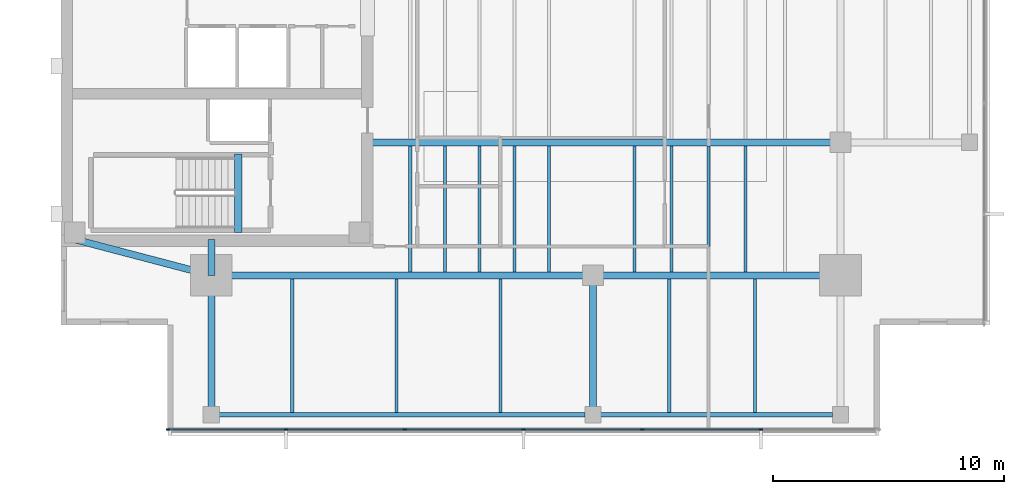
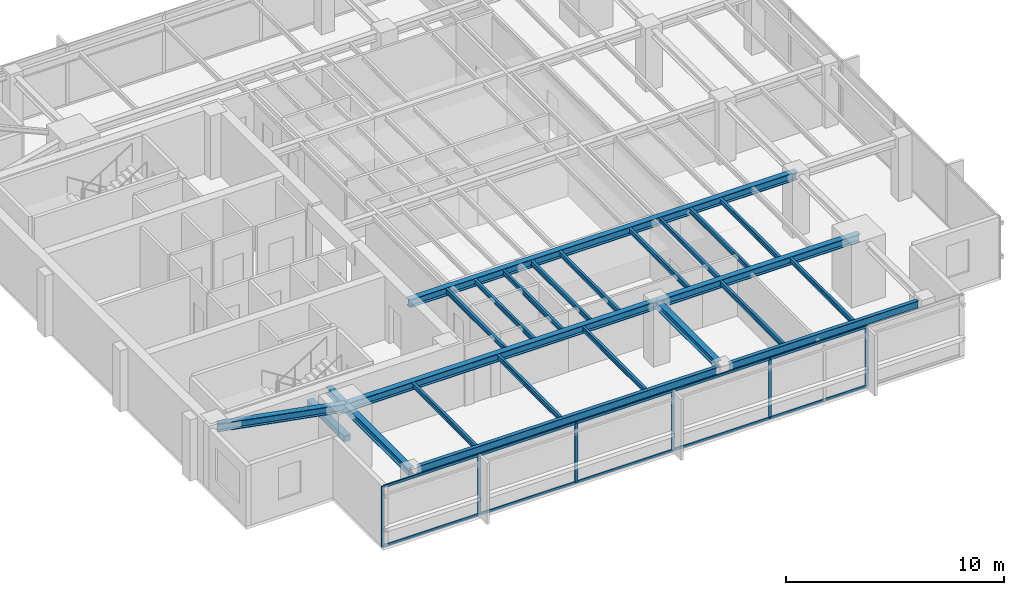
# One storey, part 2 of 14: 24 beams, 16 members, 1 element without a shape of its own.
"""IFC4 building model written with IfcOpenShell, lengths in metres."""

from ifc_helpers import new_model, si_unit, direction, frame, origin, origin_2d, place, context, subcontext, project, spatial, rectangle, i_section, extrude, material, layer, layer_set, material_profile, profile_set, type_object, element, aggregate, save


model = new_model("IFC4")

# Units and contexts
model_context = context("Model", 3, precision=1e-05, world=origin(), true_north=direction((0.0, 1.0)))
body_context = subcontext(model_context, "Body", "Model", "MODEL_VIEW")
ifc_project = project(units=[si_unit("LENGTHUNIT", "METRE"), si_unit("AREAUNIT", "SQUARE_METRE"), si_unit("VOLUMEUNIT", "CUBIC_METRE"), si_unit("PLANEANGLEUNIT", "RADIAN"), si_unit("MASSUNIT", "GRAM", prefix="KILO")], contexts=[model_context])

# Site, building, storey
site_placement = place(None, origin())
site = spatial("IfcSite", under=ifc_project, at=site_placement, CompositionType="ELEMENT")
building_placement = place(site_placement, origin())
building = spatial("IfcBuilding", under=site, at=building_placement, Name="Kinhvarn Gate Tower", CompositionType="ELEMENT")
storey_placement = place(building_placement, frame((0.0, 0.0, 267.0)))
storey = spatial("IfcBuildingStorey", under=building, at=storey_placement, Name="L71", CompositionType="ELEMENT", Elevation=267.0)

# Beam
ifc_material_1 = material(Name="Concrete C50/60", Category="concrete")
ifc_material_profile_1 = material_profile(ifc_material_1, rectangle(XDim=0.340087890625, YDim=0.320068359375, at=origin_2d()), Name="RC 340x320")
ifc_profile_set_1 = profile_set([ifc_material_profile_1], Name="Concrete C50/60")
beam_type_1 = type_object("IfcBeamType", Name="BM-LND-500", PredefinedType="BEAM", material=ifc_profile_set_1)
beam_1_placement = place(storey_placement, frame((12.1650390625, 14.60009765625, -0.159912109375), z_axis=(0.0, 1.0, 0.0), x_axis=(-1.0, 0.0, 0.0)))
element("IfcBeam", 1, at=beam_1_placement, inside=storey, type_object=beam_type_1, Name="Stair ST1 Landing Nosing Beam (L71)", PredefinedType="BEAM", context=body_context, shape_type="SweptSolid", body=[
    extrude(rectangle(XDim=0.340087890625, YDim=0.320068359375, at=origin_2d()), origin(), (0.0, 0.0, 1.0), 3.39990234375),
])

# Curtain wall, members
ifc_material_2 = material(Name="Anodised aluminium AW-6063", Category="aluminium")
ifc_layer = layer(ifc_material_2, 0.179931640625)
ifc_layer_set = layer_set([ifc_layer], Name="Anodised aluminium AW-6063")
curtain_wall_type = type_object("IfcCurtainWallType", Name="CW-SYS-3", PredefinedType="NOTDEFINED", material=ifc_layer_set)
curtain_wall_placement = place(storey_placement, origin())
curtain_wall = element("IfcCurtainWall", 2, at=curtain_wall_placement, inside=storey, type_object=curtain_wall_type, Name="Curtain Wall CW3 (L71)", PredefinedType="NOTDEFINED")
ifc_material_profile_2 = material_profile(ifc_material_2, rectangle(XDim=0.06494140625, YDim=0.159912109375, at=origin_2d()), Name="ALU 65x160")
ifc_profile_set_2 = profile_set([ifc_material_profile_2], Name="Anodised aluminium AW-6063")
member_type_1 = type_object("IfcMemberType", Name="CW-MUL-160", PredefinedType="MULLION", material=ifc_profile_set_2)
member_1_placement = place(storey_placement, frame((9.132568359375, 6.090087890625, 0.0), z_axis=(0.0, 0.0, 1.0), x_axis=(0.0, 1.0, 0.0)))
member_1 = element("IfcMember", 3, at=member_1_placement, type_object=member_type_1, Name="CW3 mullion 1", PredefinedType="MULLION", context=body_context, shape_type="SweptSolid", body=[
    extrude(rectangle(XDim=0.06494140625, YDim=0.159912109375, at=origin_2d()), origin(), (0.0, 0.0, 1.0), 3.389892578125),
])
member_2_placement = place(storey_placement, frame((14.2333984375, 6.090087890625, 0.0), z_axis=(0.0, 0.0, 1.0), x_axis=(0.0, 1.0, 0.0)))
member_2 = element("IfcMember", 4, at=member_2_placement, type_object=member_type_1, Name="CW3 mullion 2", PredefinedType="MULLION", context=body_context, shape_type="SweptSolid", body=[
    extrude(rectangle(XDim=0.06494140625, YDim=0.159912109375, at=origin_2d()), origin(), (0.0, 0.0, 1.0), 3.389892578125),
])
member_3_placement = place(storey_placement, frame((19.36669921875, 6.090087890625, 0.0), z_axis=(0.0, 0.0, 1.0), x_axis=(0.0, 1.0, 0.0)))
member_3 = element("IfcMember", 5, at=member_3_placement, type_object=member_type_1, Name="CW3 mullion 3", PredefinedType="MULLION", context=body_context, shape_type="SweptSolid", body=[
    extrude(rectangle(XDim=0.06494140625, YDim=0.159912109375, at=origin_2d()), origin(), (0.0, 0.0, 1.0), 3.389892578125),
])
member_4_placement = place(storey_placement, frame((24.5, 6.090087890625, 0.0), z_axis=(0.0, 0.0, 1.0), x_axis=(0.0, 1.0, 0.0)))
member_4 = element("IfcMember", 6, at=member_4_placement, type_object=member_type_1, Name="CW3 mullion 4", PredefinedType="MULLION", context=body_context, shape_type="SweptSolid", body=[
    extrude(rectangle(XDim=0.06494140625, YDim=0.159912109375, at=origin_2d()), origin(), (0.0, 0.0, 1.0), 3.389892578125),
])
member_5_placement = place(storey_placement, frame((29.63330078125, 6.090087890625, 0.0), z_axis=(0.0, 0.0, 1.0), x_axis=(0.0, 1.0, 0.0)))
member_5 = element("IfcMember", 7, at=member_5_placement, type_object=member_type_1, Name="CW3 mullion 5", PredefinedType="MULLION", context=body_context, shape_type="SweptSolid", body=[
    extrude(rectangle(XDim=0.06494140625, YDim=0.159912109375, at=origin_2d()), origin(), (0.0, 0.0, 1.0), 3.389892578125),
])
member_6_placement = place(storey_placement, frame((34.7666015625, 6.090087890625, 0.0), z_axis=(0.0, 0.0, 1.0), x_axis=(0.0, 1.0, 0.0)))
member_6 = element("IfcMember", 8, at=member_6_placement, type_object=member_type_1, Name="CW3 mullion 6", PredefinedType="MULLION", context=body_context, shape_type="SweptSolid", body=[
    extrude(rectangle(XDim=0.06494140625, YDim=0.159912109375, at=origin_2d()), origin(), (0.0, 0.0, 1.0), 3.389892578125),
])
ifc_material_profile_3 = material_profile(ifc_material_2, rectangle(XDim=0.070068359375, YDim=0.139892578125, at=origin_2d()), Name="ALU 70x140")
ifc_profile_set_3 = profile_set([ifc_material_profile_3], Name="Anodised aluminium AW-6063")
member_type_2 = type_object("IfcMemberType", Name="CW-TRN-140", PredefinedType="USERDEFINED", material=ifc_profile_set_3)
member_7_placement = place(storey_placement, frame((9.1650390625, 6.090087890625, 0.034912109375), z_axis=(1.0, 0.0, 0.0), x_axis=(0.0, 1.0, 0.0)))
member_7 = element("IfcMember", 9, at=member_7_placement, type_object=member_type_2, Name="CW3 transom 1.1", ObjectType="TRANSOM", PredefinedType="USERDEFINED", context=body_context, shape_type="SweptSolid", body=[
    extrude(rectangle(XDim=0.070068359375, YDim=0.139892578125, at=origin_2d()), origin(), (0.0, 0.0, 1.0), 5.035888671875),
])
member_8_placement = place(storey_placement, frame((9.1650390625, 6.090087890625, 3.35498046875), z_axis=(1.0, 0.0, 0.0), x_axis=(0.0, 1.0, 0.0)))
member_8 = element("IfcMember", 10, at=member_8_placement, type_object=member_type_2, Name="CW3 transom 1.2", ObjectType="TRANSOM", PredefinedType="USERDEFINED", context=body_context, shape_type="SweptSolid", body=[
    extrude(rectangle(XDim=0.070068359375, YDim=0.139892578125, at=origin_2d()), origin(), (0.0, 0.0, 1.0), 5.035888671875),
])
member_9_placement = place(storey_placement, frame((14.265869140625, 6.090087890625, 0.034912109375), z_axis=(1.0, 0.0, 0.0), x_axis=(0.0, 1.0, 0.0)))
member_9 = element("IfcMember", 11, at=member_9_placement, type_object=member_type_2, Name="CW3 transom 2.1", ObjectType="TRANSOM", PredefinedType="USERDEFINED", context=body_context, shape_type="SweptSolid", body=[
    extrude(rectangle(XDim=0.070068359375, YDim=0.139892578125, at=origin_2d()), origin(), (0.0, 0.0, 1.0), 5.068359375),
])
member_10_placement = place(storey_placement, frame((14.265869140625, 6.090087890625, 3.35498046875), z_axis=(1.0, 0.0, 0.0), x_axis=(0.0, 1.0, 0.0)))
member_10 = element("IfcMember", 12, at=member_10_placement, type_object=member_type_2, Name="CW3 transom 2.2", ObjectType="TRANSOM", PredefinedType="USERDEFINED", context=body_context, shape_type="SweptSolid", body=[
    extrude(rectangle(XDim=0.070068359375, YDim=0.139892578125, at=origin_2d()), origin(), (0.0, 0.0, 1.0), 5.068359375),
])
member_11_placement = place(storey_placement, frame((19.399169921875, 6.090087890625, 0.034912109375), z_axis=(1.0, 0.0, 0.0), x_axis=(0.0, 1.0, 0.0)))
member_11 = element("IfcMember", 13, at=member_11_placement, type_object=member_type_2, Name="CW3 transom 3.1", ObjectType="TRANSOM", PredefinedType="USERDEFINED", context=body_context, shape_type="SweptSolid", body=[
    extrude(rectangle(XDim=0.070068359375, YDim=0.139892578125, at=origin_2d()), origin(), (0.0, 0.0, 1.0), 5.068359375),
])
member_12_placement = place(storey_placement, frame((19.399169921875, 6.090087890625, 3.35498046875), z_axis=(1.0, 0.0, 0.0), x_axis=(0.0, 1.0, 0.0)))
member_12 = element("IfcMember", 14, at=member_12_placement, type_object=member_type_2, Name="CW3 transom 3.2", ObjectType="TRANSOM", PredefinedType="USERDEFINED", context=body_context, shape_type="SweptSolid", body=[
    extrude(rectangle(XDim=0.070068359375, YDim=0.139892578125, at=origin_2d()), origin(), (0.0, 0.0, 1.0), 5.068359375),
])
member_13_placement = place(storey_placement, frame((24.532470703125, 6.090087890625, 0.034912109375), z_axis=(1.0, 0.0, 0.0), x_axis=(0.0, 1.0, 0.0)))
member_13 = element("IfcMember", 15, at=member_13_placement, type_object=member_type_2, Name="CW3 transom 4.1", ObjectType="TRANSOM", PredefinedType="USERDEFINED", context=body_context, shape_type="SweptSolid", body=[
    extrude(rectangle(XDim=0.070068359375, YDim=0.139892578125, at=origin_2d()), origin(), (0.0, 0.0, 1.0), 5.068359375),
])
member_14_placement = place(storey_placement, frame((24.532470703125, 6.090087890625, 3.35498046875), z_axis=(1.0, 0.0, 0.0), x_axis=(0.0, 1.0, 0.0)))
member_14 = element("IfcMember", 16, at=member_14_placement, type_object=member_type_2, Name="CW3 transom 4.2", ObjectType="TRANSOM", PredefinedType="USERDEFINED", context=body_context, shape_type="SweptSolid", body=[
    extrude(rectangle(XDim=0.070068359375, YDim=0.139892578125, at=origin_2d()), origin(), (0.0, 0.0, 1.0), 5.068359375),
])
member_15_placement = place(storey_placement, frame((29.665771484375, 6.090087890625, 0.034912109375), z_axis=(1.0, 0.0, 0.0), x_axis=(0.0, 1.0, 0.0)))
member_15 = element("IfcMember", 17, at=member_15_placement, type_object=member_type_2, Name="CW3 transom 5.1", ObjectType="TRANSOM", PredefinedType="USERDEFINED", context=body_context, shape_type="SweptSolid", body=[
    extrude(rectangle(XDim=0.070068359375, YDim=0.139892578125, at=origin_2d()), origin(), (0.0, 0.0, 1.0), 5.068359375),
])
member_16_placement = place(storey_placement, frame((29.665771484375, 6.090087890625, 3.35498046875), z_axis=(1.0, 0.0, 0.0), x_axis=(0.0, 1.0, 0.0)))
member_16 = element("IfcMember", 18, at=member_16_placement, type_object=member_type_2, Name="CW3 transom 5.2", ObjectType="TRANSOM", PredefinedType="USERDEFINED", context=body_context, shape_type="SweptSolid", body=[
    extrude(rectangle(XDim=0.070068359375, YDim=0.139892578125, at=origin_2d()), origin(), (0.0, 0.0, 1.0), 5.068359375),
])
aggregate(curtain_wall, [member_1, member_2, member_3, member_4, member_5, member_6, member_7, member_8, member_9, member_10, member_11, member_12, member_13, member_14, member_15, member_16])

# Beams
ifc_material_3 = material(Name="Steel S355", Category="steel")
ifc_material_profile_4 = material_profile(ifc_material_3, i_section(OverallWidth=0.300048828125, OverallDepth=0.39990234375, WebThickness=0.013427734375, FlangeThickness=0.02392578125, at=origin_2d()), Name="HEB 400")
ifc_profile_set_4 = profile_set([ifc_material_profile_4], Name="Steel S355")
beam_type_2 = type_object("IfcBeamType", Name="STL-HEB400", PredefinedType="BEAM", material=ifc_profile_set_4)
beam_2_placement = place(storey_placement, frame((11.0, 6.719970703125, 3.18994140625), z_axis=(0.0, 1.0, 0.0), x_axis=(-1.0, 0.0, 0.0)))
element("IfcBeam", 19, at=beam_2_placement, inside=storey, type_object=beam_type_2, Name="Floor Beam PG-12 (L71 MCW-S)", PredefinedType="BEAM", context=body_context, shape_type="SweptSolid", body=[
    extrude(i_section(OverallWidth=0.300048828125, OverallDepth=0.39990234375, WebThickness=0.013427734375, FlangeThickness=0.02392578125, at=origin_2d()), origin(), (0.0, 0.0, 1.0), 6.030029296875),
])
beam_3_placement = place(storey_placement, frame((11.0, 12.75, 3.18994140625), z_axis=(0.0, 1.0, 0.0), x_axis=(-1.0, 0.0, 0.0)))
element("IfcBeam", 20, at=beam_3_placement, inside=storey, type_object=beam_type_2, Name="Floor Beam PG-12 (L71 MCW-CS)", PredefinedType="BEAM", context=body_context, shape_type="SweptSolid", body=[
    extrude(i_section(OverallWidth=0.300048828125, OverallDepth=0.39990234375, WebThickness=0.013427734375, FlangeThickness=0.02392578125, at=origin_2d()), origin(), (0.0, 0.0, 1.0), 1.550048828125),
])
beam_4_placement = place(storey_placement, frame((27.5, 7.054931640625, 3.18994140625), z_axis=(0.0, 1.0, 0.0), x_axis=(-1.0, 0.0, 0.0)))
element("IfcBeam", 21, at=beam_4_placement, inside=storey, type_object=beam_type_2, Name="Floor Beam PG-12 (L71 SP27-S-TIE)", PredefinedType="BEAM", context=body_context, shape_type="SweptSolid", body=[
    extrude(i_section(OverallWidth=0.300048828125, OverallDepth=0.39990234375, WebThickness=0.013427734375, FlangeThickness=0.02392578125, at=origin_2d()), origin(), (0.0, 0.0, 1.0), 5.695068359375),
])
ifc_material_profile_5 = material_profile(ifc_material_3, i_section(OverallWidth=0.300048828125, OverallDepth=0.449951171875, WebThickness=0.013916015625, FlangeThickness=0.02587890625, at=origin_2d()), Name="HEB 450")
ifc_profile_set_5 = profile_set([ifc_material_profile_5], Name="Steel S355")
beam_type_3 = type_object("IfcBeamType", Name="STL-HEB450", PredefinedType="BEAM", material=ifc_profile_set_5)
beam_5_placement = place(storey_placement, frame((11.0, 12.75, 3.1650390625), z_axis=(1.0, 0.0, 0.0), x_axis=(0.0, 1.0, 0.0)))
element("IfcBeam", 22, at=beam_5_placement, inside=storey, type_object=beam_type_3, Name="Floor Beam PG-13 (L71 MG-S1)", PredefinedType="BEAM", context=body_context, shape_type="SweptSolid", body=[
    extrude(i_section(OverallWidth=0.300048828125, OverallDepth=0.449951171875, WebThickness=0.013916015625, FlangeThickness=0.02587890625, at=origin_2d()), origin(), (0.0, 0.0, 1.0), 16.5),
])
beam_6_placement = place(storey_placement, frame((27.5, 12.75, 3.1650390625), z_axis=(1.0, 0.0, 0.0), x_axis=(0.0, 1.0, 0.0)))
element("IfcBeam", 23, at=beam_6_placement, inside=storey, type_object=beam_type_3, Name="Floor Beam PG-13 (L71 MG-S2)", PredefinedType="BEAM", context=body_context, shape_type="SweptSolid", body=[
    extrude(i_section(OverallWidth=0.300048828125, OverallDepth=0.449951171875, WebThickness=0.013916015625, FlangeThickness=0.02587890625, at=origin_2d()), origin(), (0.0, 0.0, 1.0), 10.699951171875),
])
beam_7_placement = place(storey_placement, frame((5.10009765625, 14.300048828125, 3.1650390625), z_axis=(0.967177623957, -0.254101246979, 0.0), x_axis=(0.254101246979, 0.967177623957, 0.0)))
element("IfcBeam", 24, at=beam_7_placement, inside=storey, type_object=beam_type_3, Name="Floor Beam PG-13 (L71 MG-SW-DIAG)", PredefinedType="BEAM", context=body_context, shape_type="SweptSolid", body=[
    extrude(i_section(OverallWidth=0.300048828125, OverallDepth=0.449951171875, WebThickness=0.013916015625, FlangeThickness=0.02587890625, at=origin_2d()), origin(), (0.0, 0.0, 1.0), 6.10009765625),
])
beam_8_placement = place(storey_placement, frame((17.64990234375, 18.5, 3.1650390625), z_axis=(1.0, 0.0, 0.0), x_axis=(0.0, 1.0, 0.0)))
element("IfcBeam", 25, at=beam_8_placement, inside=storey, type_object=beam_type_3, Name="Floor Beam PG-13 (L71 EW1-Y18)", PredefinedType="BEAM", context=body_context, shape_type="SweptSolid", body=[
    extrude(i_section(OverallWidth=0.300048828125, OverallDepth=0.449951171875, WebThickness=0.013916015625, FlangeThickness=0.02587890625, at=origin_2d()), origin(), (0.0, 0.0, 1.0), 20.550048828125),
])
ifc_material_profile_6 = material_profile(ifc_material_3, i_section(OverallWidth=0.135009765625, OverallDepth=0.27001953125, WebThickness=0.006591796875, FlangeThickness=0.01025390625, at=origin_2d()), Name="IPE 270")
ifc_profile_set_6 = profile_set([ifc_material_profile_6], Name="Steel S355")
beam_type_4 = type_object("IfcBeamType", Name="STL-IPE270", PredefinedType="JOIST", material=ifc_profile_set_6)
for number, where, z_axis, x_axis, name in (
    (26, (19.60009765625, 12.89990234375, 3.2548828125), (0.0, 1.0, 0.0), (-1.0, 0.0, 0.0), "Floor Joist SB-01 (L71 JC-X196-0)"),
    (27, (21.10009765625, 12.89990234375, 3.2548828125), (0.0, 1.0, 0.0), (-1.0, 0.0, 0.0), "Floor Joist SB-01 (L71 JC-X211-0)"),
    (28, (22.60009765625, 12.89990234375, 3.2548828125), (0.0, 1.0, 0.0), (-1.0, 0.0, 0.0), "Floor Joist SB-01 (L71 JC-X226-0)"),
    (29, (24.10009765625, 12.89990234375, 3.2548828125), (0.0, 1.0, 0.0), (-1.0, 0.0, 0.0), "Floor Joist SB-01 (L71 JC-X241-0)"),
    (30, (25.60009765625, 12.89990234375, 3.2548828125), (0.0, 1.0, 0.0), (-1.0, 0.0, 0.0), "Floor Joist SB-01 (L71 JC-X256-0)"),
    (31, (29.300048828125, 12.89990234375, 3.2548828125), (0.0, 1.0, 0.0), (-1.0, 0.0, 0.0), "Floor Joist SB-01 (L71 JC-X293-0)"),
    (32, (30.89990234375, 12.89990234375, 3.2548828125), (0.0, 1.0, 0.0), (-1.0, 0.0, 0.0), "Floor Joist SB-01 (L71 JC-X309-0)"),
    (33, (32.5, 12.89990234375, 3.2548828125), (0.0, 1.0, 0.0), (-1.0, 0.0, 0.0), "Floor Joist SB-01 (L71 JC-X325-0)"),
    (34, (34.10009765625, 12.89990234375, 3.2548828125), (0.0, 1.0, 0.0), (-1.0, 0.0, 0.0), "Floor Joist SB-01 (L71 JC-X341-0)"),
):
    element("IfcBeam", number, at=place(storey_placement, frame(where, z_axis=z_axis, x_axis=x_axis)), inside=storey, type_object=beam_type_4, Name=name, PredefinedType="JOIST", context=body_context, shape_type="SweptSolid", body=[
        extrude(i_section(OverallWidth=0.135009765625, OverallDepth=0.27001953125, WebThickness=0.006591796875, FlangeThickness=0.01025390625, at=origin_2d()), origin(), (0.0, 0.0, 1.0), 5.4501953125),
    ])
for number, where, z_axis, x_axis, name in (
    (35, (14.5, 6.81494140625, 3.2548828125), (0.0, 1.0, 0.0), (-1.0, 0.0, 0.0), "Floor Joist SB-01 (L71 JS-X145)"),
    (36, (19.0, 6.81494140625, 3.2548828125), (0.0, 1.0, 0.0), (-1.0, 0.0, 0.0), "Floor Joist SB-01 (L71 JS-X190)"),
    (37, (23.5, 6.81494140625, 3.2548828125), (0.0, 1.0, 0.0), (-1.0, 0.0, 0.0), "Floor Joist SB-01 (L71 JS-X235)"),
    (38, (30.800048828125, 6.81494140625, 3.2548828125), (0.0, 1.0, 0.0), (-1.0, 0.0, 0.0), "Floor Joist SB-01 (L71 JS-X308)"),
    (39, (34.5, 6.81494140625, 3.2548828125), (0.0, 1.0, 0.0), (-1.0, 0.0, 0.0), "Floor Joist SB-01 (L71 JS-X345)"),
):
    element("IfcBeam", number, at=place(storey_placement, frame(where, z_axis=z_axis, x_axis=x_axis)), inside=storey, type_object=beam_type_4, Name=name, PredefinedType="JOIST", context=body_context, shape_type="SweptSolid", body=[
        extrude(i_section(OverallWidth=0.135009765625, OverallDepth=0.27001953125, WebThickness=0.006591796875, FlangeThickness=0.01025390625, at=origin_2d()), origin(), (0.0, 0.0, 1.0), 5.78515625),
    ])
ifc_material_profile_7 = material_profile(ifc_material_3, i_section(OverallWidth=0.18994140625, OverallDepth=0.449951171875, WebThickness=0.009521484375, FlangeThickness=0.0146484375, at=origin_2d()), Name="IPE 450")
ifc_profile_set_7 = profile_set([ifc_material_profile_7], Name="Steel S355")
beam_type_5 = type_object("IfcBeamType", Name="STL-IPE450", PredefinedType="JOIST", material=ifc_profile_set_7)
beam_9_placement = place(storey_placement, frame((11.3349609375, 6.719970703125, 3.1650390625), z_axis=(1.0, 0.0, 0.0), x_axis=(0.0, 1.0, 0.0)))
element("IfcBeam", 40, at=beam_9_placement, inside=storey, type_object=beam_type_5, Name="Floor Joist SB-06 (L71 SP-S1)", PredefinedType="JOIST", context=body_context, shape_type="SweptSolid", body=[
    extrude(i_section(OverallWidth=0.18994140625, OverallDepth=0.449951171875, WebThickness=0.009521484375, FlangeThickness=0.0146484375, at=origin_2d()), origin(), (0.0, 0.0, 1.0), 15.830078125),
])
beam_10_placement = place(storey_placement, frame((27.8349609375, 6.719970703125, 3.1650390625), z_axis=(1.0, 0.0, 0.0), x_axis=(0.0, 1.0, 0.0)))
element("IfcBeam", 41, at=beam_10_placement, inside=storey, type_object=beam_type_5, Name="Floor Joist SB-06 (L71 SP-S2)", PredefinedType="JOIST", context=body_context, shape_type="SweptSolid", body=[
    extrude(i_section(OverallWidth=0.18994140625, OverallDepth=0.449951171875, WebThickness=0.009521484375, FlangeThickness=0.0146484375, at=origin_2d()), origin(), (0.0, 0.0, 1.0), 10.030029296875),
])

save(model, "model.ifc")
